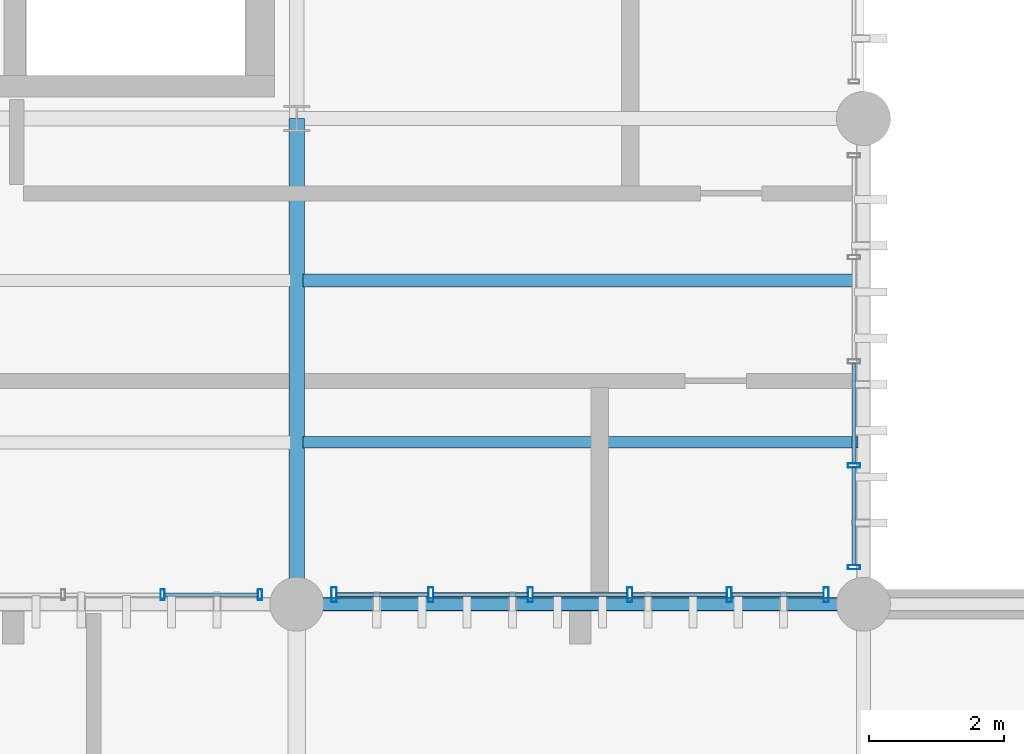
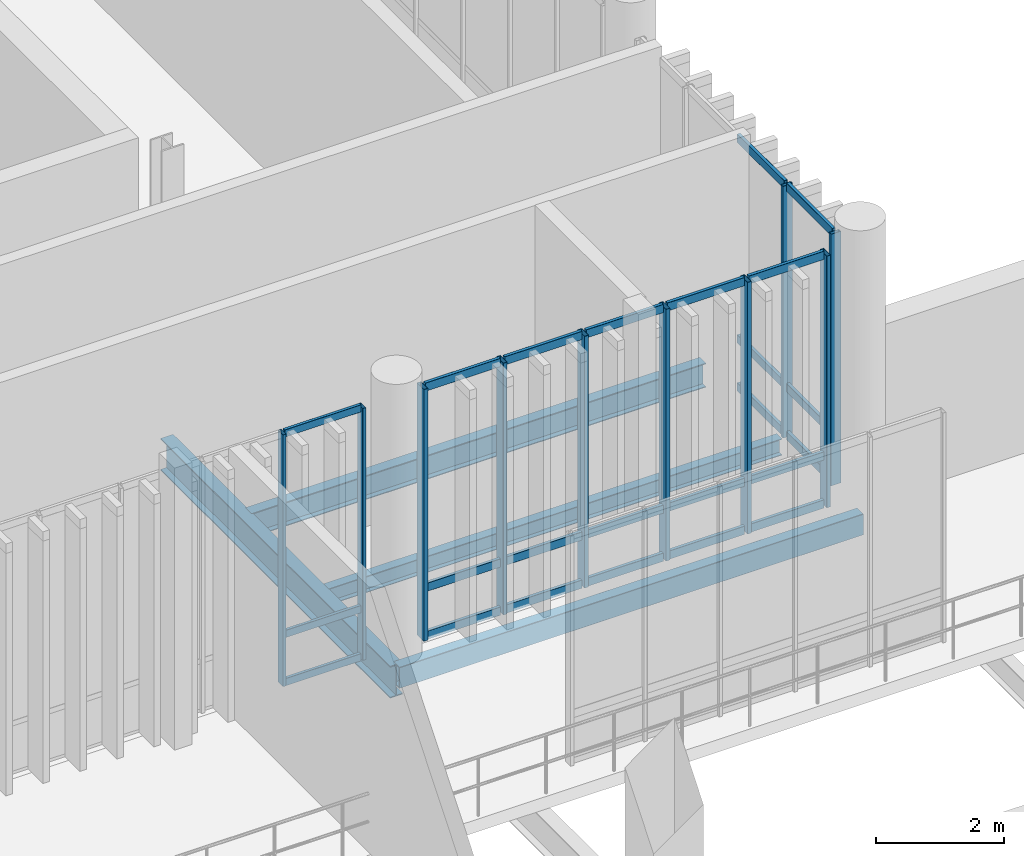
# One storey, part 63 of 128: 34 members, 4 beams, 3 elements without a shape of their own.
"""IFC4 building model written with IfcOpenShell, lengths in metres."""

from ifc_helpers import new_model, si_unit, direction, frame, origin_with_axes, origin_2d_with_axis, place, context, subcontext, project, spatial, hollow_rectangle, i_section, extrude, material, material_profile, profile_set, type_object, element, aggregate, save


model = new_model("IFC4")

# Units and contexts
model_context = context("Model", 3, precision=1e-05, world=origin_with_axes(), true_north=direction((0.0, 1.0)))
body_context = subcontext(model_context, "Body", "Model", "MODEL_VIEW")
ifc_project = project(units=[si_unit("LENGTHUNIT", "METRE"), si_unit("AREAUNIT", "SQUARE_METRE"), si_unit("VOLUMEUNIT", "CUBIC_METRE"), si_unit("PLANEANGLEUNIT", "RADIAN"), si_unit("MASSUNIT", "GRAM", prefix="KILO"), si_unit("THERMODYNAMICTEMPERATUREUNIT", "KELVIN")], contexts=[model_context])

# Site, building, storey
site_placement = place(None, origin_with_axes())
site = spatial("IfcSite", under=ifc_project, at=site_placement, CompositionType="ELEMENT")
building_placement = place(site_placement, origin_with_axes())
building = spatial("IfcBuilding", under=site, at=building_placement, Name="Montbau Bow Law Courts", CompositionType="ELEMENT")
storey_placement = place(building_placement, frame((0.0, 0.0, 5.4), z_axis=(0.0, 0.0, 1.0), x_axis=(1.0, 0.0, 0.0)))
storey = spatial("IfcBuildingStorey", under=building, at=storey_placement, Name="L01", CompositionType="ELEMENT", Elevation=5.4)

# Beams
ifc_material_1 = material(Name="Steel CSA G40.21 Grade 350W (350 MPa)", Category="steel")
ifc_material_profile_1 = material_profile(ifc_material_1, i_section(OverallWidth=0.229, OverallDepth=0.612, WebThickness=0.0119, FlangeThickness=0.0196, at=origin_2d_with_axis()), Name="W610X125", Category="Main", Priority=0)
ifc_profile_set_1 = profile_set([ifc_material_profile_1], Name="Steel CSA G40.21 Grade 350W (350 MPa)")
beam_type_1 = type_object("IfcBeamType", Name="B-FLR-05", PredefinedType="BEAM", material=ifc_profile_set_1)
beam_1_placement = place(None, frame((88.8, 39.0, 4.854), z_axis=(0.0, 1.0, 0.0), x_axis=(-1.0, 0.0, 0.0)))
element("IfcBeam", 1, at=beam_1_placement, inside=storey, type_object=beam_type_1, Name="BM-L01-S0834:bm2_0837", PredefinedType="BEAM", context=body_context, shape_type="SweptSolid", body=[
    extrude(i_section(OverallWidth=0.229, OverallDepth=0.612, WebThickness=0.0119, FlangeThickness=0.0196, at=origin_2d_with_axis()), origin_with_axes(), (0.0, 0.0, 1.0), 7.2),
])
ifc_material_profile_2 = material_profile(ifc_material_1, i_section(OverallWidth=0.191, OverallDepth=0.46, WebThickness=0.0099, FlangeThickness=0.016, at=origin_2d_with_axis()), Name="W460X82", Category="Main", Priority=0)
ifc_profile_set_2 = profile_set([ifc_material_profile_2], Name="Steel CSA G40.21 Grade 350W (350 MPa)")
beam_type_2 = type_object("IfcBeamType", Name="B-JST-01", PredefinedType="JOIST", material=ifc_profile_set_2)
beam_2_placement = place(None, frame((88.891, 43.8, 4.93), z_axis=(1.0, 0.0, 0.0), x_axis=(0.0, 1.0, 0.0)))
element("IfcBeam", 2, at=beam_2_placement, inside=storey, type_object=beam_type_2, Name="JST-L01-S0432:jst2_0432", PredefinedType="JOIST", context=body_context, shape_type="SweptSolid", body=[
    extrude(i_section(OverallWidth=0.191, OverallDepth=0.46, WebThickness=0.0099, FlangeThickness=0.016, at=origin_2d_with_axis()), origin_with_axes(), (0.0, 0.0, 1.0), 8.229),
])
ifc_material_profile_3 = material_profile(ifc_material_1, i_section(OverallWidth=0.166, OverallDepth=0.313, WebThickness=0.0066, FlangeThickness=0.0112, at=origin_2d_with_axis()), Name="W310X45", Category="Main", Priority=0)
ifc_profile_set_3 = profile_set([ifc_material_profile_3], Name="Steel CSA G40.21 Grade 350W (350 MPa)")
beam_type_3 = type_object("IfcBeamType", Name="B-JST-04", PredefinedType="JOIST", material=ifc_profile_set_3)
beam_3_placement = place(None, frame((88.891, 41.4, 5.003), z_axis=(1.0, 0.0, 0.0), x_axis=(0.0, 1.0, 0.0)))
element("IfcBeam", 3, at=beam_3_placement, inside=storey, type_object=beam_type_3, Name="JST-L01-S0431:jst2_0431", PredefinedType="JOIST", context=body_context, shape_type="SweptSolid", body=[
    extrude(i_section(OverallWidth=0.166, OverallDepth=0.313, WebThickness=0.0066, FlangeThickness=0.0112, at=origin_2d_with_axis()), origin_with_axes(), (0.0, 0.0, 1.0), 8.229),
])
ifc_material_2 = material(Name="Steel CSA G40.21 Grade 350WT (350 MPa)", Category="steel")
ifc_material_profile_4 = material_profile(ifc_material_2, hollow_rectangle(XDim=0.203, YDim=0.406, WallThickness=0.0127, InnerFilletRadius=0.0254, OuterFilletRadius=0.0127, at=origin_2d_with_axis()), Name="HSS406X203X13", Category="Main", Priority=0)
ifc_profile_set_4 = profile_set([ifc_material_profile_4], Name="Steel CSA G40.21 Grade 350WT (350 MPa)")
beam_type_4 = type_object("IfcBeamType", Name="B-SPN-01", PredefinedType="SPANDREL", material=ifc_profile_set_4)
beam_4_placement = place(None, frame((88.8, 39.0, 4.957), z_axis=(1.0, 0.0, 0.0), x_axis=(0.0, 1.0, 0.0)))
element("IfcBeam", 4, at=beam_4_placement, inside=storey, type_object=beam_type_4, Name="SPN-L01-S0803:bm2_0806", PredefinedType="SPANDREL", context=body_context, shape_type="SweptSolid", body=[
    extrude(hollow_rectangle(XDim=0.203, YDim=0.406, WallThickness=0.0127, InnerFilletRadius=0.0254, OuterFilletRadius=0.0127, at=origin_2d_with_axis()), origin_with_axes(), (0.0, 0.0, 1.0), 8.4),
])

# Curtain wall, members
ifc_material_3 = material(Name="Thermally Broken Extruded Aluminium AA 6063-T6", Category="aluminium")
curtain_wall_type = type_object("IfcCurtainWallType", Name="CW-CRM-01", PredefinedType="NOTDEFINED", material=ifc_material_3)
curtain_wall_1_placement = place(None, frame((89.315, 39.14, 5.4), z_axis=(0.0, 0.0, 1.0), x_axis=(1.0, 0.0, 0.0)))
curtain_wall_1 = element("IfcCurtainWall", 5, at=curtain_wall_1_placement, inside=storey, type_object=curtain_wall_type, Name="CW-L01-144:cw_0144", PredefinedType="NOTDEFINED")
ifc_material_profile_5 = material_profile(ifc_material_3, hollow_rectangle(XDim=0.075, YDim=0.22, WallThickness=0.005, InnerFilletRadius=0.01, OuterFilletRadius=0.005, at=origin_2d_with_axis()), Name="CWM-220X75", Category="Main", Priority=0)
ifc_profile_set_5 = profile_set([ifc_material_profile_5], Name="Thermally Broken Extruded Aluminium AA 6063-T6")
member_type_1 = type_object("IfcMemberType", Name="M-MUL-01", PredefinedType="MULLION", material=ifc_profile_set_5)
member_1_placement = place(None, frame((89.352, 39.14, 5.4), z_axis=(0.0, 0.0, 1.0), x_axis=(1.0, 0.0, 0.0)))
member_1 = element("IfcMember", 6, at=member_1_placement, type_object=member_type_1, Name="CW-L01-144-M01:cw_0144_M01", PredefinedType="MULLION", context=body_context, shape_type="SweptSolid", body=[
    extrude(hollow_rectangle(XDim=0.075, YDim=0.22, WallThickness=0.005, InnerFilletRadius=0.01, OuterFilletRadius=0.005, at=origin_2d_with_axis()), origin_with_axes(), (0.0, 0.0, 1.0), 4.82),
])
member_2_placement = place(None, frame((90.789, 39.14, 5.4), z_axis=(0.0, 0.0, 1.0), x_axis=(1.0, 0.0, 0.0)))
member_2 = element("IfcMember", 7, at=member_2_placement, type_object=member_type_1, Name="CW-L01-144-M02:cw_0144_M02", PredefinedType="MULLION", context=body_context, shape_type="SweptSolid", body=[
    extrude(hollow_rectangle(XDim=0.075, YDim=0.22, WallThickness=0.005, InnerFilletRadius=0.01, OuterFilletRadius=0.005, at=origin_2d_with_axis()), origin_with_axes(), (0.0, 0.0, 1.0), 4.82),
])
member_3_placement = place(None, frame((92.263, 39.14, 5.4), z_axis=(0.0, 0.0, 1.0), x_axis=(1.0, 0.0, 0.0)))
member_3 = element("IfcMember", 8, at=member_3_placement, type_object=member_type_1, Name="CW-L01-144-M03:cw_0144_M03", PredefinedType="MULLION", context=body_context, shape_type="SweptSolid", body=[
    extrude(hollow_rectangle(XDim=0.075, YDim=0.22, WallThickness=0.005, InnerFilletRadius=0.01, OuterFilletRadius=0.005, at=origin_2d_with_axis()), origin_with_axes(), (0.0, 0.0, 1.0), 4.82),
])
member_4_placement = place(None, frame((93.737, 39.14, 5.4), z_axis=(0.0, 0.0, 1.0), x_axis=(1.0, 0.0, 0.0)))
member_4 = element("IfcMember", 9, at=member_4_placement, type_object=member_type_1, Name="CW-L01-144-M04:cw_0144_M04", PredefinedType="MULLION", context=body_context, shape_type="SweptSolid", body=[
    extrude(hollow_rectangle(XDim=0.075, YDim=0.22, WallThickness=0.005, InnerFilletRadius=0.01, OuterFilletRadius=0.005, at=origin_2d_with_axis()), origin_with_axes(), (0.0, 0.0, 1.0), 4.82),
])
member_5_placement = place(None, frame((95.211, 39.14, 5.4), z_axis=(0.0, 0.0, 1.0), x_axis=(1.0, 0.0, 0.0)))
member_5 = element("IfcMember", 10, at=member_5_placement, type_object=member_type_1, Name="CW-L01-144-M05:cw_0144_M05", PredefinedType="MULLION", context=body_context, shape_type="SweptSolid", body=[
    extrude(hollow_rectangle(XDim=0.075, YDim=0.22, WallThickness=0.005, InnerFilletRadius=0.01, OuterFilletRadius=0.005, at=origin_2d_with_axis()), origin_with_axes(), (0.0, 0.0, 1.0), 4.82),
])
member_6_placement = place(None, frame((96.648, 39.14, 5.4), z_axis=(0.0, 0.0, 1.0), x_axis=(1.0, 0.0, 0.0)))
member_6 = element("IfcMember", 11, at=member_6_placement, type_object=member_type_1, Name="CW-L01-144-M06:cw_0144_M06", PredefinedType="MULLION", context=body_context, shape_type="SweptSolid", body=[
    extrude(hollow_rectangle(XDim=0.075, YDim=0.22, WallThickness=0.005, InnerFilletRadius=0.01, OuterFilletRadius=0.005, at=origin_2d_with_axis()), origin_with_axes(), (0.0, 0.0, 1.0), 4.82),
])

curtain_wall_2_placement = place(None, frame((97.06, 39.515, 5.4), z_axis=(0.0, 0.0, 1.0), x_axis=(1.0, 0.0, 0.0)))
curtain_wall_2 = element("IfcCurtainWall", 12, at=curtain_wall_2_placement, inside=storey, type_object=curtain_wall_type, Name="CW-L01-154:cw_0154", PredefinedType="NOTDEFINED")
ifc_material_profile_6 = material_profile(ifc_material_3, hollow_rectangle(XDim=0.065, YDim=0.18, WallThickness=0.005, InnerFilletRadius=0.01, OuterFilletRadius=0.005, at=origin_2d_with_axis()), Name="CWM-180X65", Category="Main", Priority=0)
ifc_profile_set_6 = profile_set([ifc_material_profile_6], Name="Thermally Broken Extruded Aluminium AA 6063-T6")
member_type_2 = type_object("IfcMemberType", Name="M-MUL-02", PredefinedType="MULLION", material=ifc_profile_set_6)
member_7_placement = place(None, frame((97.06, 39.548, 5.4), z_axis=(0.0, 0.0, 1.0), x_axis=(0.0, 1.0, 0.0)))
member_7 = element("IfcMember", 13, at=member_7_placement, type_object=member_type_2, Name="CW-L01-154-M01:cw_0154_M01", PredefinedType="MULLION", context=body_context, shape_type="SweptSolid", body=[
    extrude(hollow_rectangle(XDim=0.065, YDim=0.18, WallThickness=0.005, InnerFilletRadius=0.01, OuterFilletRadius=0.005, at=origin_2d_with_axis()), origin_with_axes(), (0.0, 0.0, 1.0), 4.82),
])
member_8_placement = place(None, frame((97.06, 41.058, 5.4), z_axis=(0.0, 0.0, 1.0), x_axis=(0.0, 1.0, 0.0)))
member_8 = element("IfcMember", 14, at=member_8_placement, type_object=member_type_2, Name="CW-L01-154-M02:cw_0154_M02", PredefinedType="MULLION", context=body_context, shape_type="SweptSolid", body=[
    extrude(hollow_rectangle(XDim=0.065, YDim=0.18, WallThickness=0.005, InnerFilletRadius=0.01, OuterFilletRadius=0.005, at=origin_2d_with_axis()), origin_with_axes(), (0.0, 0.0, 1.0), 4.82),
])

curtain_wall_3_placement = place(None, frame((80.915, 39.14, 5.4), z_axis=(0.0, 0.0, 1.0), x_axis=(1.0, 0.0, 0.0)))
curtain_wall_3 = element("IfcCurtainWall", 15, at=curtain_wall_3_placement, inside=storey, type_object=curtain_wall_type, Name="CW-L01-143:cw_0143", PredefinedType="NOTDEFINED")
ifc_material_profile_7 = material_profile(ifc_material_3, hollow_rectangle(XDim=0.06, YDim=0.16, WallThickness=0.004, InnerFilletRadius=0.008, OuterFilletRadius=0.004, at=origin_2d_with_axis()), Name="CWM-160X60", Category="Main", Priority=0)
ifc_profile_set_7 = profile_set([ifc_material_profile_7], Name="Thermally Broken Extruded Aluminium AA 6063-T6")
member_type_3 = type_object("IfcMemberType", Name="M-MUL-03", PredefinedType="MULLION", material=ifc_profile_set_7)
member_9_placement = place(None, frame((86.811, 39.14, 5.4), z_axis=(0.0, 0.0, 1.0), x_axis=(1.0, 0.0, 0.0)))
member_9 = element("IfcMember", 16, at=member_9_placement, type_object=member_type_3, Name="CW-L01-143-M05:cw_0143_M05", PredefinedType="MULLION", context=body_context, shape_type="SweptSolid", body=[
    extrude(hollow_rectangle(XDim=0.06, YDim=0.16, WallThickness=0.004, InnerFilletRadius=0.008, OuterFilletRadius=0.004, at=origin_2d_with_axis()), origin_with_axes(), (0.0, 0.0, 1.0), 4.82),
])
member_10_placement = place(None, frame((88.255, 39.14, 5.4), z_axis=(0.0, 0.0, 1.0), x_axis=(1.0, 0.0, 0.0)))
member_10 = element("IfcMember", 17, at=member_10_placement, type_object=member_type_3, Name="CW-L01-143-M06:cw_0143_M06", PredefinedType="MULLION", context=body_context, shape_type="SweptSolid", body=[
    extrude(hollow_rectangle(XDim=0.06, YDim=0.16, WallThickness=0.004, InnerFilletRadius=0.008, OuterFilletRadius=0.004, at=origin_2d_with_axis()), origin_with_axes(), (0.0, 0.0, 1.0), 4.82),
])

# Member
ifc_material_profile_8 = material_profile(ifc_material_3, hollow_rectangle(XDim=0.06, YDim=0.16, WallThickness=0.004, InnerFilletRadius=0.008, OuterFilletRadius=0.004, at=origin_2d_with_axis()), Name="CWT-160X60", Category="Main", Priority=0)
ifc_profile_set_8 = profile_set([ifc_material_profile_8], Name="Thermally Broken Extruded Aluminium AA 6063-T6")
member_type_4 = type_object("IfcMemberType", Name="M-TRN-01", PredefinedType="USERDEFINED", material=ifc_profile_set_8)
member_11_placement = place(None, frame((89.391, 39.14, 5.43), z_axis=(1.0, 0.0, 0.0), x_axis=(0.0, 1.0, 0.0)))
member_11 = element("IfcMember", 18, at=member_11_placement, type_object=member_type_4, Name="CW-L01-144-T01-1:cw_0144_T01_1", ObjectType="TRANSOM", PredefinedType="USERDEFINED", context=body_context, shape_type="SweptSolid", body=[
    extrude(hollow_rectangle(XDim=0.06, YDim=0.16, WallThickness=0.004, InnerFilletRadius=0.008, OuterFilletRadius=0.004, at=origin_2d_with_axis()), origin_with_axes(), (0.0, 0.0, 1.0), 1.358),
])

member_12_placement = place(None, frame((89.391, 39.14, 6.35), z_axis=(1.0, 0.0, 0.0), x_axis=(0.0, 1.0, 0.0)))
member_12 = element("IfcMember", 19, at=member_12_placement, type_object=member_type_4, Name="CW-L01-144-T01-2:cw_0144_T01_2", ObjectType="TRANSOM", PredefinedType="USERDEFINED", context=body_context, shape_type="SweptSolid", body=[
    extrude(hollow_rectangle(XDim=0.06, YDim=0.16, WallThickness=0.004, InnerFilletRadius=0.008, OuterFilletRadius=0.004, at=origin_2d_with_axis()), origin_with_axes(), (0.0, 0.0, 1.0), 1.358),
])

member_13_placement = place(None, frame((89.391, 39.14, 10.19), z_axis=(1.0, 0.0, 0.0), x_axis=(0.0, 1.0, 0.0)))
member_13 = element("IfcMember", 20, at=member_13_placement, type_object=member_type_4, Name="CW-L01-144-T01-3:cw_0144_T01_3", ObjectType="TRANSOM", PredefinedType="USERDEFINED", context=body_context, shape_type="SweptSolid", body=[
    extrude(hollow_rectangle(XDim=0.06, YDim=0.16, WallThickness=0.004, InnerFilletRadius=0.008, OuterFilletRadius=0.004, at=origin_2d_with_axis()), origin_with_axes(), (0.0, 0.0, 1.0), 1.358),
])

member_14_placement = place(None, frame((90.829, 39.14, 5.43), z_axis=(1.0, 0.0, 0.0), x_axis=(0.0, 1.0, 0.0)))
member_14 = element("IfcMember", 21, at=member_14_placement, type_object=member_type_4, Name="CW-L01-144-T02-1:cw_0144_T02_1", ObjectType="TRANSOM", PredefinedType="USERDEFINED", context=body_context, shape_type="SweptSolid", body=[
    extrude(hollow_rectangle(XDim=0.06, YDim=0.16, WallThickness=0.004, InnerFilletRadius=0.008, OuterFilletRadius=0.004, at=origin_2d_with_axis()), origin_with_axes(), (0.0, 0.0, 1.0), 1.395),
])

member_15_placement = place(None, frame((90.829, 39.14, 6.35), z_axis=(1.0, 0.0, 0.0), x_axis=(0.0, 1.0, 0.0)))
member_15 = element("IfcMember", 22, at=member_15_placement, type_object=member_type_4, Name="CW-L01-144-T02-2:cw_0144_T02_2", ObjectType="TRANSOM", PredefinedType="USERDEFINED", context=body_context, shape_type="SweptSolid", body=[
    extrude(hollow_rectangle(XDim=0.06, YDim=0.16, WallThickness=0.004, InnerFilletRadius=0.008, OuterFilletRadius=0.004, at=origin_2d_with_axis()), origin_with_axes(), (0.0, 0.0, 1.0), 1.395),
])

member_16_placement = place(None, frame((90.829, 39.14, 10.19), z_axis=(1.0, 0.0, 0.0), x_axis=(0.0, 1.0, 0.0)))
member_16 = element("IfcMember", 23, at=member_16_placement, type_object=member_type_4, Name="CW-L01-144-T02-3:cw_0144_T02_3", ObjectType="TRANSOM", PredefinedType="USERDEFINED", context=body_context, shape_type="SweptSolid", body=[
    extrude(hollow_rectangle(XDim=0.06, YDim=0.16, WallThickness=0.004, InnerFilletRadius=0.008, OuterFilletRadius=0.004, at=origin_2d_with_axis()), origin_with_axes(), (0.0, 0.0, 1.0), 1.395),
])

member_17_placement = place(None, frame((92.302, 39.14, 5.43), z_axis=(1.0, 0.0, 0.0), x_axis=(0.0, 1.0, 0.0)))
member_17 = element("IfcMember", 24, at=member_17_placement, type_object=member_type_4, Name="CW-L01-144-T03-1:cw_0144_T03_1", ObjectType="TRANSOM", PredefinedType="USERDEFINED", context=body_context, shape_type="SweptSolid", body=[
    extrude(hollow_rectangle(XDim=0.06, YDim=0.16, WallThickness=0.004, InnerFilletRadius=0.008, OuterFilletRadius=0.004, at=origin_2d_with_axis()), origin_with_axes(), (0.0, 0.0, 1.0), 1.396),
])

member_18_placement = place(None, frame((92.302, 39.14, 6.35), z_axis=(1.0, 0.0, 0.0), x_axis=(0.0, 1.0, 0.0)))
member_18 = element("IfcMember", 25, at=member_18_placement, type_object=member_type_4, Name="CW-L01-144-T03-2:cw_0144_T03_2", ObjectType="TRANSOM", PredefinedType="USERDEFINED", context=body_context, shape_type="SweptSolid", body=[
    extrude(hollow_rectangle(XDim=0.06, YDim=0.16, WallThickness=0.004, InnerFilletRadius=0.008, OuterFilletRadius=0.004, at=origin_2d_with_axis()), origin_with_axes(), (0.0, 0.0, 1.0), 1.396),
])

member_19_placement = place(None, frame((92.302, 39.14, 10.19), z_axis=(1.0, 0.0, 0.0), x_axis=(0.0, 1.0, 0.0)))
member_19 = element("IfcMember", 26, at=member_19_placement, type_object=member_type_4, Name="CW-L01-144-T03-3:cw_0144_T03_3", ObjectType="TRANSOM", PredefinedType="USERDEFINED", context=body_context, shape_type="SweptSolid", body=[
    extrude(hollow_rectangle(XDim=0.06, YDim=0.16, WallThickness=0.004, InnerFilletRadius=0.008, OuterFilletRadius=0.004, at=origin_2d_with_axis()), origin_with_axes(), (0.0, 0.0, 1.0), 1.396),
])

member_20_placement = place(None, frame((93.776, 39.14, 5.43), z_axis=(1.0, 0.0, 0.0), x_axis=(0.0, 1.0, 0.0)))
member_20 = element("IfcMember", 27, at=member_20_placement, type_object=member_type_4, Name="CW-L01-144-T04-1:cw_0144_T04_1", ObjectType="TRANSOM", PredefinedType="USERDEFINED", context=body_context, shape_type="SweptSolid", body=[
    extrude(hollow_rectangle(XDim=0.06, YDim=0.16, WallThickness=0.004, InnerFilletRadius=0.008, OuterFilletRadius=0.004, at=origin_2d_with_axis()), origin_with_axes(), (0.0, 0.0, 1.0), 1.396),
])

member_21_placement = place(None, frame((93.776, 39.14, 6.35), z_axis=(1.0, 0.0, 0.0), x_axis=(0.0, 1.0, 0.0)))
member_21 = element("IfcMember", 28, at=member_21_placement, type_object=member_type_4, Name="CW-L01-144-T04-2:cw_0144_T04_2", ObjectType="TRANSOM", PredefinedType="USERDEFINED", context=body_context, shape_type="SweptSolid", body=[
    extrude(hollow_rectangle(XDim=0.06, YDim=0.16, WallThickness=0.004, InnerFilletRadius=0.008, OuterFilletRadius=0.004, at=origin_2d_with_axis()), origin_with_axes(), (0.0, 0.0, 1.0), 1.396),
])

member_22_placement = place(None, frame((93.776, 39.14, 10.19), z_axis=(1.0, 0.0, 0.0), x_axis=(0.0, 1.0, 0.0)))
member_22 = element("IfcMember", 29, at=member_22_placement, type_object=member_type_4, Name="CW-L01-144-T04-3:cw_0144_T04_3", ObjectType="TRANSOM", PredefinedType="USERDEFINED", context=body_context, shape_type="SweptSolid", body=[
    extrude(hollow_rectangle(XDim=0.06, YDim=0.16, WallThickness=0.004, InnerFilletRadius=0.008, OuterFilletRadius=0.004, at=origin_2d_with_axis()), origin_with_axes(), (0.0, 0.0, 1.0), 1.396),
])

member_23_placement = place(None, frame((95.25, 39.14, 5.43), z_axis=(1.0, 0.0, 0.0), x_axis=(0.0, 1.0, 0.0)))
member_23 = element("IfcMember", 30, at=member_23_placement, type_object=member_type_4, Name="CW-L01-144-T05-1:cw_0144_T05_1", ObjectType="TRANSOM", PredefinedType="USERDEFINED", context=body_context, shape_type="SweptSolid", body=[
    extrude(hollow_rectangle(XDim=0.06, YDim=0.16, WallThickness=0.004, InnerFilletRadius=0.008, OuterFilletRadius=0.004, at=origin_2d_with_axis()), origin_with_axes(), (0.0, 0.0, 1.0), 1.359),
])

member_24_placement = place(None, frame((95.25, 39.14, 6.35), z_axis=(1.0, 0.0, 0.0), x_axis=(0.0, 1.0, 0.0)))
member_24 = element("IfcMember", 31, at=member_24_placement, type_object=member_type_4, Name="CW-L01-144-T05-2:cw_0144_T05_2", ObjectType="TRANSOM", PredefinedType="USERDEFINED", context=body_context, shape_type="SweptSolid", body=[
    extrude(hollow_rectangle(XDim=0.06, YDim=0.16, WallThickness=0.004, InnerFilletRadius=0.008, OuterFilletRadius=0.004, at=origin_2d_with_axis()), origin_with_axes(), (0.0, 0.0, 1.0), 1.359),
])

member_25_placement = place(None, frame((95.25, 39.14, 10.19), z_axis=(1.0, 0.0, 0.0), x_axis=(0.0, 1.0, 0.0)))
member_25 = element("IfcMember", 32, at=member_25_placement, type_object=member_type_4, Name="CW-L01-144-T05-3:cw_0144_T05_3", ObjectType="TRANSOM", PredefinedType="USERDEFINED", context=body_context, shape_type="SweptSolid", body=[
    extrude(hollow_rectangle(XDim=0.06, YDim=0.16, WallThickness=0.004, InnerFilletRadius=0.008, OuterFilletRadius=0.004, at=origin_2d_with_axis()), origin_with_axes(), (0.0, 0.0, 1.0), 1.359),
])

aggregate(curtain_wall_1, [member_1, member_2, member_3, member_4, member_5, member_6, member_11, member_12, member_13, member_14, member_15, member_16, member_17, member_18, member_19, member_20, member_21, member_22, member_23, member_24, member_25])

member_26_placement = place(None, frame((97.06, 39.583, 5.43), z_axis=(0.0, 1.0, 0.0), x_axis=(-1.0, 0.0, 0.0)))
member_26 = element("IfcMember", 33, at=member_26_placement, type_object=member_type_4, Name="CW-L01-154-T01-1:cw_0154_T01_1", ObjectType="TRANSOM", PredefinedType="USERDEFINED", context=body_context, shape_type="SweptSolid", body=[
    extrude(hollow_rectangle(XDim=0.06, YDim=0.16, WallThickness=0.004, InnerFilletRadius=0.008, OuterFilletRadius=0.004, at=origin_2d_with_axis()), origin_with_axes(), (0.0, 0.0, 1.0), 1.44),
])

member_27_placement = place(None, frame((97.06, 39.583, 6.35), z_axis=(0.0, 1.0, 0.0), x_axis=(-1.0, 0.0, 0.0)))
member_27 = element("IfcMember", 34, at=member_27_placement, type_object=member_type_4, Name="CW-L01-154-T01-2:cw_0154_T01_2", ObjectType="TRANSOM", PredefinedType="USERDEFINED", context=body_context, shape_type="SweptSolid", body=[
    extrude(hollow_rectangle(XDim=0.06, YDim=0.16, WallThickness=0.004, InnerFilletRadius=0.008, OuterFilletRadius=0.004, at=origin_2d_with_axis()), origin_with_axes(), (0.0, 0.0, 1.0), 1.44),
])

member_28_placement = place(None, frame((97.06, 39.583, 10.19), z_axis=(0.0, 1.0, 0.0), x_axis=(-1.0, 0.0, 0.0)))
member_28 = element("IfcMember", 35, at=member_28_placement, type_object=member_type_4, Name="CW-L01-154-T01-3:cw_0154_T01_3", ObjectType="TRANSOM", PredefinedType="USERDEFINED", context=body_context, shape_type="SweptSolid", body=[
    extrude(hollow_rectangle(XDim=0.06, YDim=0.16, WallThickness=0.004, InnerFilletRadius=0.008, OuterFilletRadius=0.004, at=origin_2d_with_axis()), origin_with_axes(), (0.0, 0.0, 1.0), 1.44),
])

member_29_placement = place(None, frame((97.06, 41.092, 5.43), z_axis=(0.0, 1.0, 0.0), x_axis=(-1.0, 0.0, 0.0)))
member_29 = element("IfcMember", 36, at=member_29_placement, type_object=member_type_4, Name="CW-L01-154-T02-1:cw_0154_T02_1", ObjectType="TRANSOM", PredefinedType="USERDEFINED", context=body_context, shape_type="SweptSolid", body=[
    extrude(hollow_rectangle(XDim=0.06, YDim=0.16, WallThickness=0.004, InnerFilletRadius=0.008, OuterFilletRadius=0.004, at=origin_2d_with_axis()), origin_with_axes(), (0.0, 0.0, 1.0), 1.473),
])

member_30_placement = place(None, frame((97.06, 41.092, 6.35), z_axis=(0.0, 1.0, 0.0), x_axis=(-1.0, 0.0, 0.0)))
member_30 = element("IfcMember", 37, at=member_30_placement, type_object=member_type_4, Name="CW-L01-154-T02-2:cw_0154_T02_2", ObjectType="TRANSOM", PredefinedType="USERDEFINED", context=body_context, shape_type="SweptSolid", body=[
    extrude(hollow_rectangle(XDim=0.06, YDim=0.16, WallThickness=0.004, InnerFilletRadius=0.008, OuterFilletRadius=0.004, at=origin_2d_with_axis()), origin_with_axes(), (0.0, 0.0, 1.0), 1.473),
])

member_31_placement = place(None, frame((97.06, 41.092, 10.19), z_axis=(0.0, 1.0, 0.0), x_axis=(-1.0, 0.0, 0.0)))
member_31 = element("IfcMember", 38, at=member_31_placement, type_object=member_type_4, Name="CW-L01-154-T02-3:cw_0154_T02_3", ObjectType="TRANSOM", PredefinedType="USERDEFINED", context=body_context, shape_type="SweptSolid", body=[
    extrude(hollow_rectangle(XDim=0.06, YDim=0.16, WallThickness=0.004, InnerFilletRadius=0.008, OuterFilletRadius=0.004, at=origin_2d_with_axis()), origin_with_axes(), (0.0, 0.0, 1.0), 1.473),
])

aggregate(curtain_wall_2, [member_7, member_8, member_26, member_27, member_28, member_29, member_30, member_31])

ifc_material_profile_9 = material_profile(ifc_material_3, hollow_rectangle(XDim=0.055, YDim=0.14, WallThickness=0.004, InnerFilletRadius=0.008, OuterFilletRadius=0.004, at=origin_2d_with_axis()), Name="CWT-140X55", Category="Main", Priority=0)
ifc_profile_set_9 = profile_set([ifc_material_profile_9], Name="Thermally Broken Extruded Aluminium AA 6063-T6")
member_type_5 = type_object("IfcMemberType", Name="M-TRN-02", PredefinedType="USERDEFINED", material=ifc_profile_set_9)
member_32_placement = place(None, frame((86.843, 39.14, 5.428), z_axis=(1.0, 0.0, 0.0), x_axis=(0.0, 1.0, 0.0)))
member_32 = element("IfcMember", 39, at=member_32_placement, type_object=member_type_5, Name="CW-L01-143-T05-1:cw_0143_T05_1", ObjectType="TRANSOM", PredefinedType="USERDEFINED", context=body_context, shape_type="SweptSolid", body=[
    extrude(hollow_rectangle(XDim=0.055, YDim=0.14, WallThickness=0.004, InnerFilletRadius=0.008, OuterFilletRadius=0.004, at=origin_2d_with_axis()), origin_with_axes(), (0.0, 0.0, 1.0), 1.38),
])

member_33_placement = place(None, frame((86.843, 39.14, 6.35), z_axis=(1.0, 0.0, 0.0), x_axis=(0.0, 1.0, 0.0)))
member_33 = element("IfcMember", 40, at=member_33_placement, type_object=member_type_5, Name="CW-L01-143-T05-2:cw_0143_T05_2", ObjectType="TRANSOM", PredefinedType="USERDEFINED", context=body_context, shape_type="SweptSolid", body=[
    extrude(hollow_rectangle(XDim=0.055, YDim=0.14, WallThickness=0.004, InnerFilletRadius=0.008, OuterFilletRadius=0.004, at=origin_2d_with_axis()), origin_with_axes(), (0.0, 0.0, 1.0), 1.38),
])

member_34_placement = place(None, frame((86.843, 39.14, 10.193), z_axis=(1.0, 0.0, 0.0), x_axis=(0.0, 1.0, 0.0)))
member_34 = element("IfcMember", 41, at=member_34_placement, type_object=member_type_5, Name="CW-L01-143-T05-3:cw_0143_T05_3", ObjectType="TRANSOM", PredefinedType="USERDEFINED", context=body_context, shape_type="SweptSolid", body=[
    extrude(hollow_rectangle(XDim=0.055, YDim=0.14, WallThickness=0.004, InnerFilletRadius=0.008, OuterFilletRadius=0.004, at=origin_2d_with_axis()), origin_with_axes(), (0.0, 0.0, 1.0), 1.38),
])

aggregate(curtain_wall_3, [member_9, member_10, member_32, member_33, member_34])

save(model, "model.ifc")
